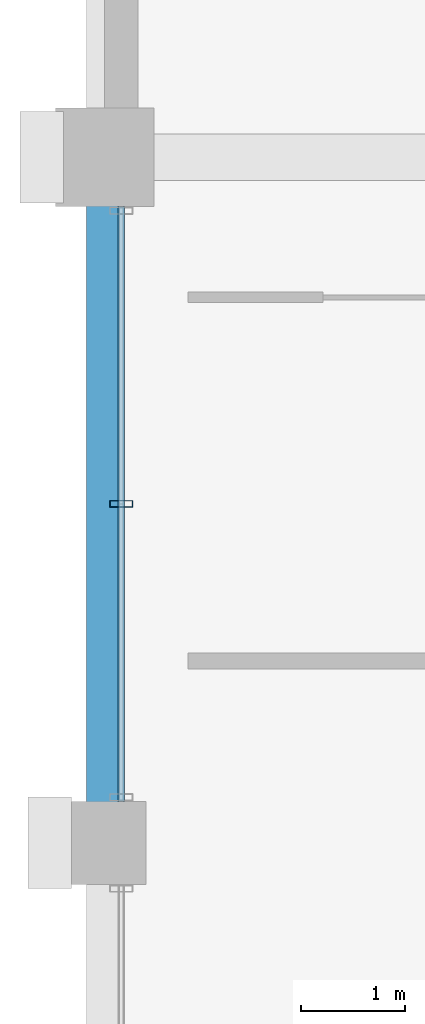
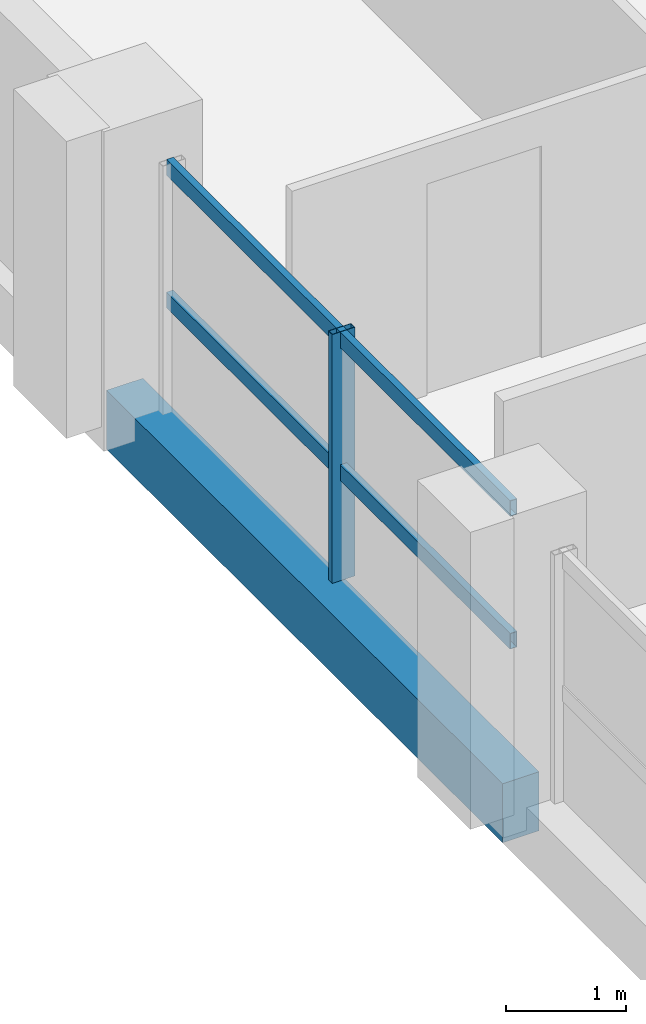
# One storey, part 6 of 23: 3 members, 1 beam, 1 element without a shape of its own.
"""IFC4 building model written with IfcOpenShell, lengths in metres."""

from ifc_helpers import new_model, si_unit, direction, frame, origin, origin_2d, place, context, subcontext, project, spatial, rectangle, hollow_rectangle, extrude, material, material_profile, profile_set, type_object, element, aggregate, save


model = new_model("IFC4")

# Units and contexts
model_context = context("Model", 3, precision=1e-05, world=origin(), true_north=direction((0.0, 1.0)))
body_context = subcontext(model_context, "Body", "Model", "MODEL_VIEW")
ifc_project = project(units=[si_unit("LENGTHUNIT", "METRE"), si_unit("AREAUNIT", "SQUARE_METRE"), si_unit("VOLUMEUNIT", "CUBIC_METRE"), si_unit("PLANEANGLEUNIT", "RADIAN"), si_unit("MASSUNIT", "GRAM", prefix="KILO")], contexts=[model_context])

# Site, building, storey
site_placement = place(None, origin())
site = spatial("IfcSite", under=ifc_project, at=site_placement, CompositionType="ELEMENT")
building_placement = place(site_placement, origin())
building = spatial("IfcBuilding", under=site, at=building_placement, Name="Akrevak Sports Hall", CompositionType="ELEMENT")
storey_placement = place(building_placement, frame((0.0, 0.0, 47.050048828125)))
storey = spatial("IfcBuildingStorey", under=building, at=storey_placement, Name="L11", CompositionType="ELEMENT", Elevation=47.050048828125)

# Curtain wall, members
ifc_material_1 = material(Name="Anodized Bronze Aluminium & Low-E Glass", Category="aluminium")
curtain_wall_type = type_object("IfcCurtainWallType", Name="ARC-CW-TWR-56x30", PredefinedType="NOTDEFINED", material=ifc_material_1)
curtain_wall_placement = place(storey_placement, origin())
curtain_wall = element("IfcCurtainWall", 1, at=curtain_wall_placement, inside=storey, type_object=curtain_wall_type, Name="Curtain Wall CW-L11-W30", PredefinedType="NOTDEFINED")
ifc_material_2 = material(Name="Anodized Bronze Aluminium", Category="aluminium")
ifc_material_profile_1 = material_profile(ifc_material_2, hollow_rectangle(XDim=0.06494140625, YDim=0.219970703125, WallThickness=0.00439453125, at=origin_2d()), Name="CWM 65x220", Category="aluminium")
ifc_profile_set_1 = profile_set([ifc_material_profile_1], Name="Anodized Bronze Aluminium")
member_type_1 = type_object("IfcMemberType", Name="ARC-CWM-70x160", PredefinedType="MULLION", material=ifc_profile_set_1)
member_1_placement = place(storey_placement, frame((52.659912109375, 51.862548828125, 0.0), z_axis=(0.0, 0.0, 1.0), x_axis=(0.0, -1.0, 0.0)))
member_1 = element("IfcMember", 2, at=member_1_placement, type_object=member_type_1, Name="Curtain Wall Mullion CW-L11-W30-M2", PredefinedType="MULLION", context=body_context, shape_type="SweptSolid", body=[
    extrude(hollow_rectangle(XDim=0.06494140625, YDim=0.219970703125, WallThickness=0.00439453125, at=origin_2d()), origin(), (0.0, 0.0, 1.0), 2.530029296875),
])
ifc_material_profile_2 = material_profile(ifc_material_2, hollow_rectangle(XDim=0.06494140625, YDim=0.159912109375, WallThickness=0.00390625, at=origin_2d()), Name="CWT 65x160", Category="aluminium")
ifc_profile_set_2 = profile_set([ifc_material_profile_2], Name="Anodized Bronze Aluminium")
member_type_2 = type_object("IfcMemberType", Name="ARC-CWT-70x130", PredefinedType="USERDEFINED", material=ifc_profile_set_2)
member_2_placement = place(storey_placement, frame((52.659912109375, 54.72509765625, 1.099853515625), z_axis=(0.0, -1.0, 0.0), x_axis=(1.0, 0.0, 0.0)))
member_2 = element("IfcMember", 3, at=member_2_placement, type_object=member_type_2, Name="Curtain Wall Transom CW-L11-W30-T1", ObjectType="TRANSOM", PredefinedType="USERDEFINED", context=body_context, shape_type="SweptSolid", body=[
    extrude(hollow_rectangle(XDim=0.06494140625, YDim=0.159912109375, WallThickness=0.00390625, at=origin_2d()), origin(), (0.0, 0.0, 1.0), 5.72509765625),
])
member_3_placement = place(storey_placement, frame((52.659912109375, 54.72509765625, 2.449951171875), z_axis=(0.0, -1.0, 0.0), x_axis=(1.0, 0.0, 0.0)))
member_3 = element("IfcMember", 4, at=member_3_placement, type_object=member_type_2, Name="Curtain Wall Transom CW-L11-W30-T2", ObjectType="TRANSOM", PredefinedType="USERDEFINED", context=body_context, shape_type="SweptSolid", body=[
    extrude(hollow_rectangle(XDim=0.06494140625, YDim=0.159912109375, WallThickness=0.00390625, at=origin_2d()), origin(), (0.0, 0.0, 1.0), 5.72509765625),
])
aggregate(curtain_wall, [member_1, member_2, member_3])

# Beam
ifc_material_3 = material(Name="Concrete C40/50", Category="concrete")
ifc_material_profile_3 = material_profile(ifc_material_3, rectangle(XDim=0.35009765625, YDim=0.60009765625, at=origin_2d()), Name="BM 350x600", Category="concrete")
ifc_profile_set_3 = profile_set([ifc_material_profile_3], Name="Concrete C40/50")
beam_type = type_object("IfcBeamType", Name="STR-BM-RC350x600", PredefinedType="BEAM", material=ifc_profile_set_3)
beam_placement = place(storey_placement, frame((52.5, 48.60009765625, -0.300048828125), z_axis=(0.0, 1.0, 0.0), x_axis=(-1.0, 0.0, 0.0)))
element("IfcBeam", 5, at=beam_placement, inside=storey, type_object=beam_type, Name="Girder 8/H-I (L11)", PredefinedType="BEAM", context=body_context, shape_type="SweptSolid", body=[
    extrude(rectangle(XDim=0.35009765625, YDim=0.60009765625, at=origin_2d()), origin(), (0.0, 0.0, 1.0), 6.599853515625),
])

save(model, "model.ifc")
